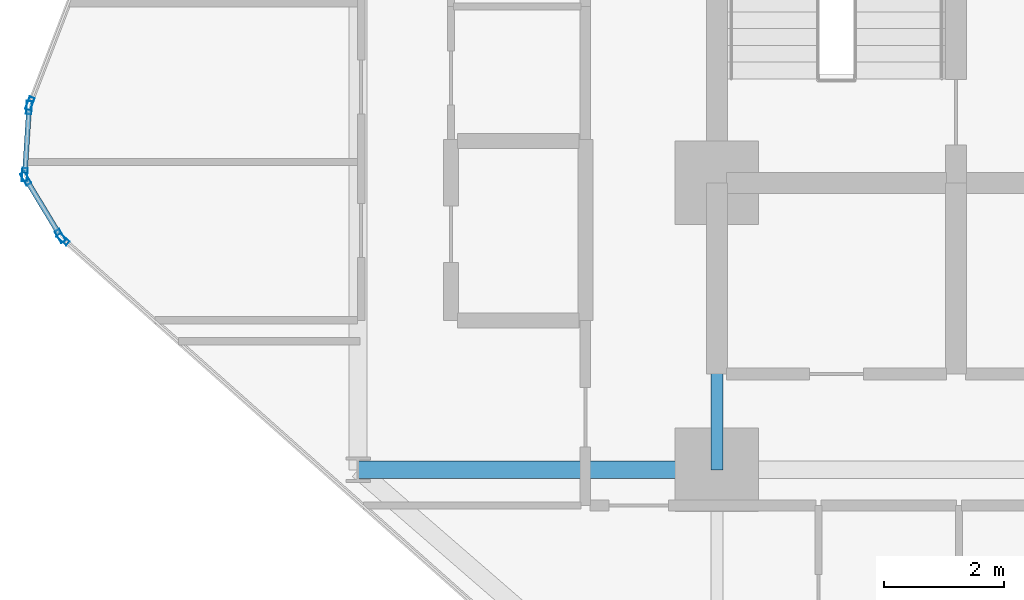
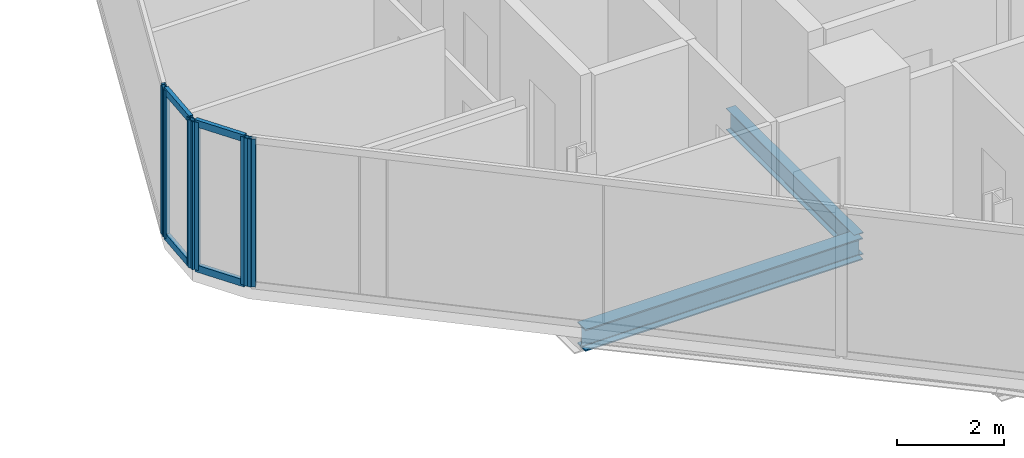
# One storey, part 5 of 33: 10 members, 2 beams, 4 elements without a shape of their own.
"""IFC4 building model written with IfcOpenShell, lengths in metres."""

import ifcopenshell
import ifcopenshell.guid

model = None  # the IFC model being written
_history = None  # IfcOwnerHistory: only IFC2X3 demands one
_inside = {}  # id of a spatial element -> (the spatial element, [elements in it])
_under = {}  # id of a project, library or spatial element -> (it, [spatial elements below it])
_declared = {}  # id of a project -> (the project, [libraries it declares])
_typed = {}  # id of a type object -> (the type object, [elements of that type])
_made_of = {}  # id of a material, layer set ... -> (it, [elements and type objects made of it])


def new_model(schema):
    """Start an empty IFC model of exactly this schema.

    Asked for "IFC4X3", IfcOpenShell would pick the latest addendum, in which some entities
    have other attributes; the version numbers below select the first issue.
    IFC2X3 requires an IfcOwnerHistory on every rooted entity: one is made here for all.
    """
    global model, _history
    if schema == "IFC4X3":
        model = ifcopenshell.file(schema_version=(4, 3, 0, 0))
    else:
        model = ifcopenshell.file(schema=schema)
    _inside.clear()
    _under.clear()
    _declared.clear()
    _typed.clear()
    _made_of.clear()
    _history = None
    if model.schema == "IFC2X3":
        org = make("IfcOrganization", Name="unknown")
        user = make(
            "IfcPersonAndOrganization",
            ThePerson=make("IfcPerson", FamilyName="unknown"),
            TheOrganization=org,
        )
        app = make(
            "IfcApplication",
            ApplicationDeveloper=org,
            Version="unknown",
            ApplicationFullName="unknown",
            ApplicationIdentifier="unknown",
        )
        _history = make(
            "IfcOwnerHistory",
            OwningUser=user,
            OwningApplication=app,
            ChangeAction="ADDED",
            CreationDate=0,
        )
    return model


def make(cls, **values):
    """One entity of the class cls with the attributes given. An attribute that is None is left unset."""
    return model.create_entity(
        cls, **{name: value for name, value in values.items() if value is not None}
    )


def rooted(cls, **values):
    """An entity with a GlobalId (a new one), such as an element, a storey or a relation."""
    return make(cls, GlobalId=ifcopenshell.guid.new(), OwnerHistory=_history, **values)


def si_unit(unit_type, name, prefix=None):
    """IfcSIUnit, for example si_unit("LENGTHUNIT", "METRE", prefix="MILLI")."""
    return make("IfcSIUnit", UnitType=unit_type, Prefix=prefix, Name=name)


def assignment(units):
    """IfcUnitAssignment: the units of a project."""
    return None if units is None else make("IfcUnitAssignment", Units=units)


def point(xyz):
    """IfcCartesianPoint."""
    return None if xyz is None else make("IfcCartesianPoint", Coordinates=xyz)


def direction(xyz):
    """IfcDirection."""
    return None if xyz is None else make("IfcDirection", DirectionRatios=xyz)


def frame(location, z_axis=None, x_axis=None):
    """IfcAxis2Placement3D, a coordinate frame: its origin and axes. An axis left out is left unset."""
    return make(
        "IfcAxis2Placement3D",
        Location=point(location),
        Axis=direction(z_axis),
        RefDirection=direction(x_axis),
    )


def frame_2d(location, x_axis=None):
    """IfcAxis2Placement2D, a coordinate frame in the plane: its origin and x axis."""
    return make(
        "IfcAxis2Placement2D", Location=point(location), RefDirection=direction(x_axis)
    )


def origin():
    """The frame at (0, 0, 0) with its axes left unset."""
    return frame((0.0, 0.0, 0.0))


def origin_2d():
    """The frame at (0, 0) in the plane with its x axis left unset."""
    return frame_2d((0.0, 0.0))


def place(relative_to, where):
    """IfcLocalPlacement: puts the frame where relative to a parent placement (None: the world)."""
    return make(
        "IfcLocalPlacement", PlacementRelTo=relative_to, RelativePlacement=where
    )


def context(
    kind, dimensions, precision=None, world=None, true_north=None, identifier=None
):
    """IfcGeometricRepresentationContext, for example the 3D "Model" context."""
    return make(
        "IfcGeometricRepresentationContext",
        ContextIdentifier=identifier,
        ContextType=kind,
        CoordinateSpaceDimension=dimensions,
        Precision=precision,
        WorldCoordinateSystem=world,
        TrueNorth=true_north,
    )


def subcontext(parent, identifier, kind, view, scale=None):
    """IfcGeometricRepresentationSubContext, for example "Body" below "Model"."""
    return make(
        "IfcGeometricRepresentationSubContext",
        ContextIdentifier=identifier,
        ContextType=kind,
        ParentContext=parent,
        TargetScale=scale,
        TargetView=view,
    )


def project(units=None, contexts=None):
    """IfcProject with its units and contexts."""
    return rooted(
        "IfcProject",
        Name="project",
        RepresentationContexts=contexts,
        UnitsInContext=assignment(units),
    )


def spatial(cls, under=None, at=None, **own):
    """A site, building, storey or space (cls), placed at a placement, below another one or the project."""
    s = rooted(cls, ObjectPlacement=at, **own)
    if under is not None:
        _under.setdefault(under.id(), (under, []))[1].append(s)
    return s


def profile(cls, at=None, kind="AREA", **sizes):
    """A parametric profile (cls). Its sizes go by their IFC names, for example OverallWidth=200.0."""
    return make(cls, ProfileType=kind, Position=at, **sizes)


def hollow_rectangle(**sizes):
    """IfcRectangleHollowProfileDef."""
    return profile("IfcRectangleHollowProfileDef", **sizes)


def i_section(**sizes):
    """IfcIShapeProfileDef."""
    return profile("IfcIShapeProfileDef", **sizes)


def extrude(swept, where, along, depth):
    """IfcExtrudedAreaSolid: the profile swept, set in the frame where, extruded along a direction by depth."""
    return make(
        "IfcExtrudedAreaSolid",
        SweptArea=swept,
        Position=where,
        ExtrudedDirection=direction(along),
        Depth=depth,
    )


def shape(context_of_items, identifier, shape_type, items):
    """IfcShapeRepresentation: the items that make up one representation, for example the "Body"."""
    return make(
        "IfcShapeRepresentation",
        ContextOfItems=context_of_items,
        RepresentationIdentifier=identifier,
        RepresentationType=shape_type,
        Items=items,
    )


def material(Name=None, Category=None):
    """IfcMaterial."""
    return make("IfcMaterial", Name=Name, Category=Category)


def layer(
    of_material, thickness, ventilated=None, Name=None, Category=None, Priority=None
):
    """IfcMaterialLayer: one layer of a wall or slab, of a material (None: an air gap)."""
    return make(
        "IfcMaterialLayer",
        Material=of_material,
        LayerThickness=thickness,
        IsVentilated=ventilated,
        Name=Name,
        Category=Category,
        Priority=Priority,
    )


def layer_set(layers, Name=None):
    """IfcMaterialLayerSet."""
    return make("IfcMaterialLayerSet", MaterialLayers=layers, LayerSetName=Name)


def material_profile(
    of_material, cross_section, Name=None, Category=None, Priority=None
):
    """IfcMaterialProfile: a cross section and its material."""
    return make(
        "IfcMaterialProfile",
        Name=Name,
        Material=of_material,
        Profile=cross_section,
        Priority=Priority,
        Category=Category,
    )


def profile_set(profiles, Name=None, composite=None):
    """IfcMaterialProfileSet."""
    return make(
        "IfcMaterialProfileSet",
        Name=Name,
        MaterialProfiles=profiles,
        CompositeProfile=composite,
    )


def made_of(thing, what):
    """Note that an element or type object is made of a material, layer set ...; save() writes the relation."""
    if what is not None:
        _made_of.setdefault(what.id(), (what, []))[1].append(thing)
    return thing


def type_object(cls, material=None, **own):
    """A type object (cls), such as IfcWallType, which elements share."""
    return made_of(rooted(cls, **own), material)


def element(
    cls,
    number,
    at=None,
    inside=None,
    cuts=None,
    type_object=None,
    material=None,
    context=None,
    identifier="Body",
    shape_type=None,
    held_by="IfcProductDefinitionShape",
    body=None,
    shapes=None,
    **own,
):
    """One element of the class cls, such as IfcWall. Its Tag is "e" and its number.

    at: its placement. inside: the storey or other place that contains it. cuts: it is an
    opening in that element (IfcRelVoidsElement). A single representation is given by context,
    identifier, shape_type and body (its items); several are given by shapes. held_by: the class
    of the entity that holds the representations. save() writes the other relations.
    """
    e = rooted(cls, Tag="e%d" % number, ObjectPlacement=at, **own)
    if body is not None:
        shapes = [shape(context, identifier, shape_type, body)]
    if shapes is not None:
        e.Representation = make(held_by, Representations=shapes)
    if inside is not None:
        _inside.setdefault(inside.id(), (inside, []))[1].append(e)
    if cuts is not None:
        rooted(
            "IfcRelVoidsElement", RelatingBuildingElement=cuts, RelatedOpeningElement=e
        )
    if type_object is not None:
        _typed.setdefault(type_object.id(), (type_object, []))[1].append(e)
    return made_of(e, material)


def aggregate(whole, parts):
    """IfcRelAggregates: a whole, such as a stair, and the parts it consists of."""
    return rooted("IfcRelAggregates", RelatingObject=whole, RelatedObjects=parts)


def save(model, path):
    """Write the relations noted so far, then the file.

    IfcRelAggregates (storeys below a building ...), IfcRelContainedInSpatialStructure (elements
    in a storey), IfcRelDefinesByType, IfcRelAssociatesMaterial and IfcRelDeclares: one each for
    every whole, place, type object, material and project.
    """
    for whole, parts in _under.values():
        aggregate(whole, parts)
    for where, things in _inside.values():
        rooted(
            "IfcRelContainedInSpatialStructure",
            RelatedElements=things,
            RelatingStructure=where,
        )
    for kind, things in _typed.values():
        rooted("IfcRelDefinesByType", RelatedObjects=things, RelatingType=kind)
    for what, things in _made_of.values():
        rooted("IfcRelAssociatesMaterial", RelatedObjects=things, RelatingMaterial=what)
    for by, libraries in _declared.values():
        rooted("IfcRelDeclares", RelatingContext=by, RelatedDefinitions=libraries)
    model.write(path)


model = new_model("IFC4")

# Units and contexts
model_context = context("Model", 3, precision=1e-05, world=origin(), true_north=direction((0.0, 1.0)))
body_context = subcontext(model_context, "Body", "Model", "MODEL_VIEW")
ifc_project = project(units=[si_unit("LENGTHUNIT", "METRE"), si_unit("AREAUNIT", "SQUARE_METRE"), si_unit("VOLUMEUNIT", "CUBIC_METRE"), si_unit("PLANEANGLEUNIT", "RADIAN"), si_unit("MASSUNIT", "GRAM", prefix="KILO")], contexts=[model_context])

# Site, building, storey
site_placement = place(None, origin())
site = spatial("IfcSite", under=ifc_project, at=site_placement, CompositionType="ELEMENT")
building_placement = place(site_placement, origin())
building = spatial("IfcBuilding", under=site, at=building_placement, Name="Keshet Zoharim Tower", CompositionType="ELEMENT")
storey_placement = place(building_placement, frame((0.0, 0.0, 42.5)))
storey = spatial("IfcBuildingStorey", under=building, at=storey_placement, Name="L09", CompositionType="ELEMENT", Elevation=42.5)

# Beams
ifc_material_1 = material(Name="Steel S355", Category="steel")
ifc_material_profile_1 = material_profile(ifc_material_1, i_section(OverallWidth=0.199951171875, OverallDepth=0.5, WebThickness=0.01025390625, FlangeThickness=0.01611328125, FilletRadius=0.02099609375, at=origin_2d()), Name="IPE500")
ifc_profile_set_1 = profile_set([ifc_material_profile_1], Name="Steel S355")
beam_type_1 = type_object("IfcBeamType", Name="BM-PRI-IP500", PredefinedType="BEAM", material=ifc_profile_set_1)
beam_1_placement = place(storey_placement, frame((15.0, 17.89990234375, -0.56494140625), z_axis=(0.0, 1.0, 0.0), x_axis=(-1.0, 0.0, 0.0)))
element("IfcBeam", 1, at=beam_1_placement, inside=storey, type_object=beam_type_1, Name="L09 Primary Girder Y-003", PredefinedType="BEAM", context=body_context, shape_type="SweptSolid", body=[
    extrude(i_section(OverallWidth=0.199951171875, OverallDepth=0.5, WebThickness=0.01025390625, FlangeThickness=0.01611328125, FilletRadius=0.02099609375, at=origin_2d()), origin(), (0.0, 0.0, 1.0), 4.800048828125),
])
ifc_material_profile_2 = material_profile(ifc_material_1, i_section(OverallWidth=0.300048828125, OverallDepth=0.5, WebThickness=0.014404296875, FlangeThickness=0.028076171875, FilletRadius=0.027099609375, at=origin_2d()), Name="HEB500")
ifc_profile_set_2 = profile_set([ifc_material_profile_2], Name="Steel S355")
beam_type_2 = type_object("IfcBeamType", Name="BM-WEB-HB500", PredefinedType="BEAM", material=ifc_profile_set_2)
beam_2_placement = place(storey_placement, frame((9.0, 17.89990234375, -0.56494140625), z_axis=(1.0, 0.0, 0.0), x_axis=(0.0, 1.0, 0.0)))
element("IfcBeam", 2, at=beam_2_placement, inside=storey, type_object=beam_type_2, Name="L09 Primary Girder X-015", PredefinedType="BEAM", context=body_context, shape_type="SweptSolid", body=[
    extrude(i_section(OverallWidth=0.300048828125, OverallDepth=0.5, WebThickness=0.014404296875, FlangeThickness=0.028076171875, FilletRadius=0.027099609375, at=origin_2d()), origin(), (0.0, 0.0, 1.0), 6.0),
])

# Curtain wall, member
ifc_material_2 = material(Name="Aluminium 6063-T6", Category="aluminium")
ifc_layer = layer(ifc_material_2, 0.179931640625)
ifc_layer_set = layer_set([ifc_layer], Name="Aluminium 6063-T6")
curtain_wall_type = type_object("IfcCurtainWallType", Name="CW-SYS-01", PredefinedType="NOTDEFINED", material=ifc_layer_set)
curtain_wall_1_placement = place(storey_placement, origin())
curtain_wall_1 = element("IfcCurtainWall", 3, at=curtain_wall_1_placement, inside=storey, type_object=curtain_wall_type, Name="L09 Unitised Curtain Wall 01", PredefinedType="NOTDEFINED")
ifc_material_profile_3 = material_profile(ifc_material_2, hollow_rectangle(XDim=0.090087890625, YDim=0.219970703125, WallThickness=0.0048828125, at=origin_2d()), Name="MUL-90x220")
ifc_profile_set_3 = profile_set([ifc_material_profile_3], Name="Aluminium 6063-T6")
member_type_1 = type_object("IfcMemberType", Name="CWM-M22", PredefinedType="MULLION", material=ifc_profile_set_3)
member_1_placement = place(storey_placement, frame((4.061279296875, 21.7568359375, 0.0), z_axis=(0.0, 0.0, 1.0), x_axis=(-0.664363838836, -0.747409318679, 0.0)))
member_1 = element("IfcMember", 4, at=member_1_placement, type_object=member_type_1, Name="CW-01 mullion 3", PredefinedType="MULLION", context=body_context, shape_type="SweptSolid", body=[
    extrude(hollow_rectangle(XDim=0.090087890625, YDim=0.219970703125, WallThickness=0.0048828125, at=origin_2d()), origin(), (0.0, 0.0, 1.0), 3.385009765625),
])
aggregate(curtain_wall_1, [member_1])

# Curtain wall, members
curtain_wall_2_placement = place(storey_placement, origin())
curtain_wall_2 = element("IfcCurtainWall", 5, at=curtain_wall_2_placement, inside=storey, type_object=curtain_wall_type, Name="L09 Unitised Curtain Wall 02", PredefinedType="NOTDEFINED")
member_2_placement = place(storey_placement, frame((4.016845703125, 21.81005859375, 0.0), z_axis=(0.0, 0.0, 1.0), x_axis=(-0.856826433805, -0.515604947933, 0.0)))
member_2 = element("IfcMember", 6, at=member_2_placement, type_object=member_type_1, Name="CW-01 mullion 1", PredefinedType="MULLION", context=body_context, shape_type="SweptSolid", body=[
    extrude(hollow_rectangle(XDim=0.090087890625, YDim=0.219970703125, WallThickness=0.0048828125, at=origin_2d()), origin(), (0.0, 0.0, 1.0), 3.385009765625),
])
member_3_placement = place(storey_placement, frame((3.43798828125, 22.77197265625, 0.0), z_axis=(0.0, 0.0, 1.0), x_axis=(-0.856826433805, -0.515604947933, 0.0)))
member_3 = element("IfcMember", 7, at=member_3_placement, type_object=member_type_1, Name="CW-01 mullion 2", PredefinedType="MULLION", context=body_context, shape_type="SweptSolid", body=[
    extrude(hollow_rectangle(XDim=0.090087890625, YDim=0.219970703125, WallThickness=0.0048828125, at=origin_2d()), origin(), (0.0, 0.0, 1.0), 3.385009765625),
])

curtain_wall_3_placement = place(storey_placement, origin())
curtain_wall_3 = element("IfcCurtainWall", 8, at=curtain_wall_3_placement, inside=storey, type_object=curtain_wall_type, Name="L09 Unitised Curtain Wall 03", PredefinedType="NOTDEFINED")
member_4_placement = place(storey_placement, frame((3.42236328125, 22.8369140625, 0.0), z_axis=(0.0, 0.0, 1.0), x_axis=(-0.997916617186, 0.064516859374, 0.0)))
member_4 = element("IfcMember", 9, at=member_4_placement, type_object=member_type_1, Name="CW-01 mullion 1", PredefinedType="MULLION", context=body_context, shape_type="SweptSolid", body=[
    extrude(hollow_rectangle(XDim=0.090087890625, YDim=0.219970703125, WallThickness=0.0048828125, at=origin_2d()), origin(), (0.0, 0.0, 1.0), 3.385009765625),
])
member_5_placement = place(storey_placement, frame((3.49462890625, 23.9580078125, 0.0), z_axis=(0.0, 0.0, 1.0), x_axis=(-0.997916617186, 0.064516859374, 0.0)))
member_5 = element("IfcMember", 10, at=member_5_placement, type_object=member_type_1, Name="CW-01 mullion 2", PredefinedType="MULLION", context=body_context, shape_type="SweptSolid", body=[
    extrude(hollow_rectangle(XDim=0.090087890625, YDim=0.219970703125, WallThickness=0.0048828125, at=origin_2d()), origin(), (0.0, 0.0, 1.0), 3.385009765625),
])

# Curtain wall, member
curtain_wall_4_placement = place(storey_placement, origin())
curtain_wall_4 = element("IfcCurtainWall", 11, at=curtain_wall_4_placement, inside=storey, type_object=curtain_wall_type, Name="L09 Unitised Curtain Wall 04", PredefinedType="NOTDEFINED")
member_6_placement = place(storey_placement, frame((3.509521484375, 24.025634765625, 0.0), z_axis=(0.0, 0.0, 1.0), x_axis=(-0.933341404361, 0.358990003907, 0.0)))
member_6 = element("IfcMember", 12, at=member_6_placement, type_object=member_type_1, Name="CW-01 mullion 1", PredefinedType="MULLION", context=body_context, shape_type="SweptSolid", body=[
    extrude(hollow_rectangle(XDim=0.090087890625, YDim=0.219970703125, WallThickness=0.0048828125, at=origin_2d()), origin(), (0.0, 0.0, 1.0), 3.385009765625),
])
aggregate(curtain_wall_4, [member_6])

# Member
ifc_material_profile_4 = material_profile(ifc_material_2, hollow_rectangle(XDim=0.0849609375, YDim=0.159912109375, WallThickness=0.00439453125, at=origin_2d()), Name="TRN-85x160")
ifc_profile_set_4 = profile_set([ifc_material_profile_4], Name="Aluminium 6063-T6")
member_type_2 = type_object("IfcMemberType", Name="CWT-T16", PredefinedType="USERDEFINED", material=ifc_profile_set_4)
member_7_placement = place(storey_placement, frame((3.9990234375, 21.840087890625, 0.034912109375), z_axis=(-0.515791194107, 0.856714330499, 0.0), x_axis=(-0.856714330499, -0.515791194107, 0.0)))
member_7 = element("IfcMember", 13, at=member_7_placement, type_object=member_type_2, Name="CW-01 transom 1.1", ObjectType="TRANSOM", PredefinedType="USERDEFINED", context=body_context, shape_type="SweptSolid", body=[
    extrude(hollow_rectangle(XDim=0.0849609375, YDim=0.159912109375, WallThickness=0.00439453125, at=origin_2d()), origin(), (0.0, 0.0, 1.0), 1.052734375),
])

member_8_placement = place(storey_placement, frame((3.9990234375, 21.840087890625, 3.35009765625), z_axis=(-0.515791194107, 0.856714330499, 0.0), x_axis=(-0.856714330499, -0.515791194107, 0.0)))
member_8 = element("IfcMember", 14, at=member_8_placement, type_object=member_type_2, Name="CW-01 transom 1.2", ObjectType="TRANSOM", PredefinedType="USERDEFINED", context=body_context, shape_type="SweptSolid", body=[
    extrude(hollow_rectangle(XDim=0.0849609375, YDim=0.159912109375, WallThickness=0.00439453125, at=origin_2d()), origin(), (0.0, 0.0, 1.0), 1.052734375),
])

aggregate(curtain_wall_2, [member_2, member_3, member_7, member_8])

member_9_placement = place(storey_placement, frame((3.424560546875, 22.871826171875, 0.034912109375), z_axis=(0.064426947155, 0.997922426083, 0.0), x_axis=(-0.997922426083, 0.064426947155, 0.0)))
member_9 = element("IfcMember", 15, at=member_9_placement, type_object=member_type_2, Name="CW-01 transom 1.1", ObjectType="TRANSOM", PredefinedType="USERDEFINED", context=body_context, shape_type="SweptSolid", body=[
    extrude(hollow_rectangle(XDim=0.0849609375, YDim=0.159912109375, WallThickness=0.00439453125, at=origin_2d()), origin(), (0.0, 0.0, 1.0), 1.053466796875),
])

member_10_placement = place(storey_placement, frame((3.424560546875, 22.871826171875, 3.35009765625), z_axis=(0.064426947155, 0.997922426083, 0.0), x_axis=(-0.997922426083, 0.064426947155, 0.0)))
member_10 = element("IfcMember", 16, at=member_10_placement, type_object=member_type_2, Name="CW-01 transom 1.2", ObjectType="TRANSOM", PredefinedType="USERDEFINED", context=body_context, shape_type="SweptSolid", body=[
    extrude(hollow_rectangle(XDim=0.0849609375, YDim=0.159912109375, WallThickness=0.00439453125, at=origin_2d()), origin(), (0.0, 0.0, 1.0), 1.053466796875),
])

aggregate(curtain_wall_3, [member_4, member_5, member_9, member_10])

save(model, "model.ifc")
